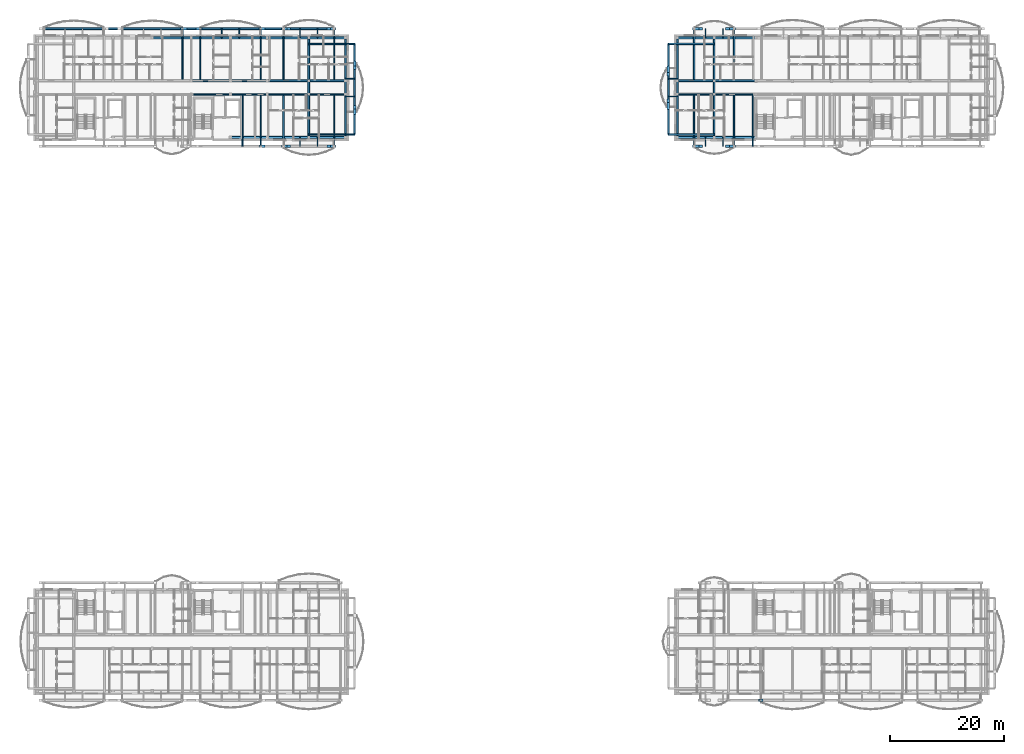
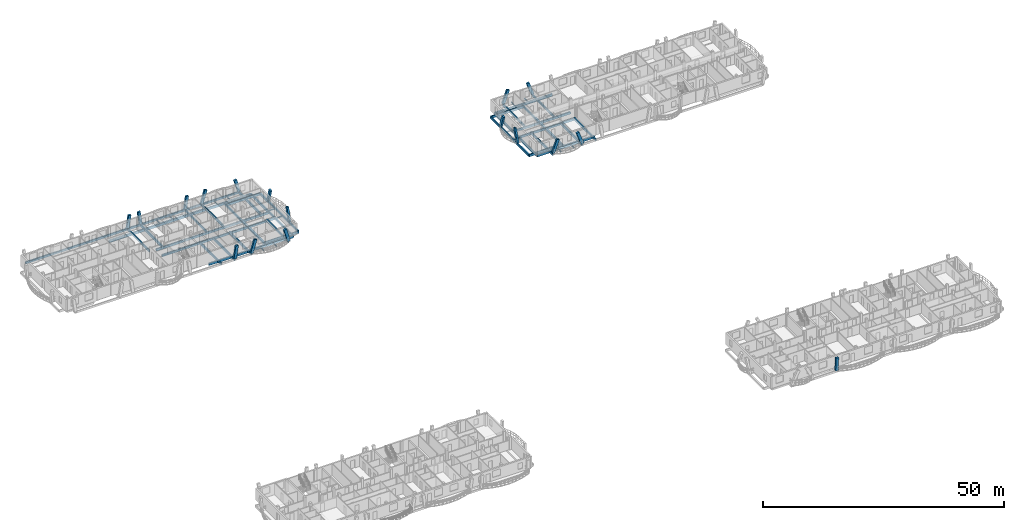
# One storey, part 6 of 52: 71 beams, 17 members.
"""IFC4 building model written with IfcOpenShell, lengths in metres."""

from ifc_helpers import new_model, si_unit, direction, frame, origin, origin_2d, place, context, subcontext, project, spatial, rectangle, i_section, extrude, material, material_profile, profile_set, type_object, element, save


model = new_model("IFC4")

# Units and contexts
model_context = context("Model", 3, precision=1e-05, world=origin(), true_north=direction((0.0, 1.0)))
body_context = subcontext(model_context, "Body", "Model", "MODEL_VIEW")
ifc_project = project(units=[si_unit("LENGTHUNIT", "METRE"), si_unit("AREAUNIT", "SQUARE_METRE"), si_unit("VOLUMEUNIT", "CUBIC_METRE"), si_unit("PLANEANGLEUNIT", "RADIAN"), si_unit("MASSUNIT", "GRAM", prefix="KILO")], contexts=[model_context])

# Site, building, storey
site_placement = place(None, origin())
site = spatial("IfcSite", under=ifc_project, at=site_placement, CompositionType="ELEMENT")
building_placement = place(site_placement, origin())
building = spatial("IfcBuilding", under=site, at=building_placement, Name="Zavelmont Quarter", CompositionType="ELEMENT")
storey_placement = place(building_placement, frame((0.0, 0.0, 14.39990234375)))
storey = spatial("IfcBuildingStorey", under=building, at=storey_placement, Name="L04", CompositionType="ELEMENT", Elevation=14.39990234375)

# Beams
ifc_material_1 = material(Name="Concrete C35/45", Category="concrete")
ifc_material_profile_1 = material_profile(ifc_material_1, rectangle(XDim=0.35009765625, YDim=0.60009765625, at=origin_2d()), Name="RC350X600")
ifc_profile_set_1 = profile_set([ifc_material_profile_1], Name="Concrete C35/45")
beam_type_1 = type_object("IfcBeamType", Name="BM01", PredefinedType="SPANDREL", material=ifc_profile_set_1)
beam_1_placement = place(storey_placement, frame((34.5, 98.0400390625, -0.559814453125), z_axis=(1.0, 0.0, 0.0), x_axis=(0.0, 1.0, 0.0)))
element("IfcBeam", 1, at=beam_1_placement, inside=storey, type_object=beam_type_1, Name="L04 beam BM01 6/P to 7/P", PredefinedType="SPANDREL", context=body_context, shape_type="SweptSolid", body=[
    extrude(rectangle(XDim=0.35009765625, YDim=0.60009765625, at=origin_2d()), origin(), (0.0, 0.0, 1.0), 6.4599609375),
])
beam_2_placement = place(storey_placement, frame((40.9599609375, 98.0400390625, -0.559814453125), z_axis=(1.0, 0.0, 0.0), x_axis=(0.0, 1.0, 0.0)))
element("IfcBeam", 2, at=beam_2_placement, inside=storey, type_object=beam_type_1, Name="L04 beam BM01 7/P to 8/P", PredefinedType="SPANDREL", context=body_context, shape_type="SweptSolid", body=[
    extrude(rectangle(XDim=0.35009765625, YDim=0.60009765625, at=origin_2d()), origin(), (0.0, 0.0, 1.0), 7.340087890625),
])
beam_3_placement = place(storey_placement, frame((48.300048828125, 98.0400390625, -0.559814453125), z_axis=(1.0, 0.0, 0.0), x_axis=(0.0, 1.0, 0.0)))
element("IfcBeam", 3, at=beam_3_placement, inside=storey, type_object=beam_type_1, Name="L04 beam BM01 8/P to 9/P", PredefinedType="SPANDREL", context=body_context, shape_type="SweptSolid", body=[
    extrude(rectangle(XDim=0.35009765625, YDim=0.60009765625, at=origin_2d()), origin(), (0.0, 0.0, 1.0), 6.4599609375),
])
beam_4_placement = place(storey_placement, frame((20.699951171875, 115.56005859375, -0.559814453125), z_axis=(1.0, 0.0, 0.0), x_axis=(0.0, 1.0, 0.0)))
element("IfcBeam", 4, at=beam_4_placement, inside=storey, type_object=beam_type_1, Name="L04 beam BM01 4/S to 5/S", PredefinedType="SPANDREL", context=body_context, shape_type="SweptSolid", body=[
    extrude(rectangle(XDim=0.35009765625, YDim=0.60009765625, at=origin_2d()), origin(), (0.0, 0.0, 1.0), 6.900146484375),
])
beam_5_placement = place(storey_placement, frame((27.60009765625, 115.56005859375, -0.559814453125), z_axis=(1.0, 0.0, 0.0), x_axis=(0.0, 1.0, 0.0)))
element("IfcBeam", 5, at=beam_5_placement, inside=storey, type_object=beam_type_1, Name="L04 beam BM01 5/S to 6/S", PredefinedType="SPANDREL", context=body_context, shape_type="SweptSolid", body=[
    extrude(rectangle(XDim=0.35009765625, YDim=0.60009765625, at=origin_2d()), origin(), (0.0, 0.0, 1.0), 6.89990234375),
])
beam_6_placement = place(storey_placement, frame((34.5, 115.56005859375, -0.559814453125), z_axis=(1.0, 0.0, 0.0), x_axis=(0.0, 1.0, 0.0)))
element("IfcBeam", 6, at=beam_6_placement, inside=storey, type_object=beam_type_1, Name="L04 beam BM01 6/S to 7/S", PredefinedType="SPANDREL", context=body_context, shape_type="SweptSolid", body=[
    extrude(rectangle(XDim=0.35009765625, YDim=0.60009765625, at=origin_2d()), origin(), (0.0, 0.0, 1.0), 6.4599609375),
])
beam_7_placement = place(storey_placement, frame((40.9599609375, 115.56005859375, -0.559814453125), z_axis=(1.0, 0.0, 0.0), x_axis=(0.0, 1.0, 0.0)))
element("IfcBeam", 7, at=beam_7_placement, inside=storey, type_object=beam_type_1, Name="L04 beam BM01 7/S to 8/S", PredefinedType="SPANDREL", context=body_context, shape_type="SweptSolid", body=[
    extrude(rectangle(XDim=0.35009765625, YDim=0.60009765625, at=origin_2d()), origin(), (0.0, 0.0, 1.0), 7.340087890625),
])
for number, where, z_axis, x_axis, name in (
    (8, (48.300048828125, 115.56005859375, -0.559814453125), (1.0, 0.0, 0.0), (0.0, 1.0, 0.0), "L04 beam BM01 8/S to 9/S"),
    (9, (113.239990234375, 98.0400390625, -0.559814453125), (1.0, 0.0, 0.0), (0.0, 1.0, 0.0), "L04 beam BM01 17/P to 18/P"),
):
    element("IfcBeam", number, at=place(storey_placement, frame(where, z_axis=z_axis, x_axis=x_axis)), inside=storey, type_object=beam_type_1, Name=name, PredefinedType="SPANDREL", context=body_context, shape_type="SweptSolid", body=[
        extrude(rectangle(XDim=0.35009765625, YDim=0.60009765625, at=origin_2d()), origin(), (0.0, 0.0, 1.0), 6.4599609375),
    ])
beam_8_placement = place(storey_placement, frame((119.699951171875, 98.0400390625, -0.559814453125), z_axis=(1.0, 0.0, 0.0), x_axis=(0.0, 1.0, 0.0)))
element("IfcBeam", 10, at=beam_8_placement, inside=storey, type_object=beam_type_1, Name="L04 beam BM01 18/P to 19/P", PredefinedType="SPANDREL", context=body_context, shape_type="SweptSolid", body=[
    extrude(rectangle(XDim=0.35009765625, YDim=0.60009765625, at=origin_2d()), origin(), (0.0, 0.0, 1.0), 7.340087890625),
])
beam_9_placement = place(storey_placement, frame((113.239990234375, 115.56005859375, -0.559814453125), z_axis=(1.0, 0.0, 0.0), x_axis=(0.0, 1.0, 0.0)))
element("IfcBeam", 11, at=beam_9_placement, inside=storey, type_object=beam_type_1, Name="L04 beam BM01 17/S to 18/S", PredefinedType="SPANDREL", context=body_context, shape_type="SweptSolid", body=[
    extrude(rectangle(XDim=0.35009765625, YDim=0.60009765625, at=origin_2d()), origin(), (0.0, 0.0, 1.0), 6.4599609375),
])
beam_10_placement = place(storey_placement, frame((119.699951171875, 115.56005859375, -0.559814453125), z_axis=(1.0, 0.0, 0.0), x_axis=(0.0, 1.0, 0.0)))
element("IfcBeam", 12, at=beam_10_placement, inside=storey, type_object=beam_type_1, Name="L04 beam BM01 18/S to 19/S", PredefinedType="SPANDREL", context=body_context, shape_type="SweptSolid", body=[
    extrude(rectangle(XDim=0.35009765625, YDim=0.60009765625, at=origin_2d()), origin(), (0.0, 0.0, 1.0), 7.340087890625),
])
ifc_material_profile_2 = material_profile(ifc_material_1, rectangle(XDim=0.300048828125, YDim=0.550048828125, at=origin_2d()), Name="RC300X550")
ifc_profile_set_2 = profile_set([ifc_material_profile_2], Name="Concrete C35/45")
beam_type_2 = type_object("IfcBeamType", Name="BM02", PredefinedType="SPANDREL", material=ifc_profile_set_2)
beam_11_placement = place(storey_placement, frame((27.60009765625, 105.60009765625, -0.534912109375), z_axis=(1.0, 0.0, 0.0), x_axis=(0.0, 1.0, 0.0)))
element("IfcBeam", 13, at=beam_11_placement, inside=storey, type_object=beam_type_2, Name="L04 beam BM02 5/Q to 6/Q", PredefinedType="SPANDREL", context=body_context, shape_type="SweptSolid", body=[
    extrude(rectangle(XDim=0.300048828125, YDim=0.550048828125, at=origin_2d()), origin(), (0.0, 0.0, 1.0), 6.89990234375),
])
beam_12_placement = place(storey_placement, frame((34.5, 105.60009765625, -0.534912109375), z_axis=(1.0, 0.0, 0.0), x_axis=(0.0, 1.0, 0.0)))
element("IfcBeam", 14, at=beam_12_placement, inside=storey, type_object=beam_type_2, Name="L04 beam BM02 6/Q to 7/Q", PredefinedType="SPANDREL", context=body_context, shape_type="SweptSolid", body=[
    extrude(rectangle(XDim=0.300048828125, YDim=0.550048828125, at=origin_2d()), origin(), (0.0, 0.0, 1.0), 6.4599609375),
])
beam_13_placement = place(storey_placement, frame((40.9599609375, 105.60009765625, -0.534912109375), z_axis=(1.0, 0.0, 0.0), x_axis=(0.0, 1.0, 0.0)))
element("IfcBeam", 15, at=beam_13_placement, inside=storey, type_object=beam_type_2, Name="L04 beam BM02 7/Q to 8/Q", PredefinedType="SPANDREL", context=body_context, shape_type="SweptSolid", body=[
    extrude(rectangle(XDim=0.300048828125, YDim=0.550048828125, at=origin_2d()), origin(), (0.0, 0.0, 1.0), 7.340087890625),
])
beam_14_placement = place(storey_placement, frame((48.300048828125, 105.60009765625, -0.534912109375), z_axis=(1.0, 0.0, 0.0), x_axis=(0.0, 1.0, 0.0)))
element("IfcBeam", 16, at=beam_14_placement, inside=storey, type_object=beam_type_2, Name="L04 beam BM02 8/Q to 9/Q", PredefinedType="SPANDREL", context=body_context, shape_type="SweptSolid", body=[
    extrude(rectangle(XDim=0.300048828125, YDim=0.550048828125, at=origin_2d()), origin(), (0.0, 0.0, 1.0), 6.4599609375),
])
beam_15_placement = place(storey_placement, frame((27.60009765625, 108.0, -0.534912109375), z_axis=(1.0, 0.0, 0.0), x_axis=(0.0, 1.0, 0.0)))
element("IfcBeam", 17, at=beam_15_placement, inside=storey, type_object=beam_type_2, Name="L04 beam BM02 5/R to 6/R", PredefinedType="SPANDREL", context=body_context, shape_type="SweptSolid", body=[
    extrude(rectangle(XDim=0.300048828125, YDim=0.550048828125, at=origin_2d()), origin(), (0.0, 0.0, 1.0), 6.89990234375),
])
beam_16_placement = place(storey_placement, frame((34.5, 108.0, -0.534912109375), z_axis=(1.0, 0.0, 0.0), x_axis=(0.0, 1.0, 0.0)))
element("IfcBeam", 18, at=beam_16_placement, inside=storey, type_object=beam_type_2, Name="L04 beam BM02 6/R to 7/R", PredefinedType="SPANDREL", context=body_context, shape_type="SweptSolid", body=[
    extrude(rectangle(XDim=0.300048828125, YDim=0.550048828125, at=origin_2d()), origin(), (0.0, 0.0, 1.0), 6.4599609375),
])
beam_17_placement = place(storey_placement, frame((40.9599609375, 108.0, -0.534912109375), z_axis=(1.0, 0.0, 0.0), x_axis=(0.0, 1.0, 0.0)))
element("IfcBeam", 19, at=beam_17_placement, inside=storey, type_object=beam_type_2, Name="L04 beam BM02 7/R to 8/R", PredefinedType="SPANDREL", context=body_context, shape_type="SweptSolid", body=[
    extrude(rectangle(XDim=0.300048828125, YDim=0.550048828125, at=origin_2d()), origin(), (0.0, 0.0, 1.0), 7.340087890625),
])
beam_18_placement = place(storey_placement, frame((48.300048828125, 108.0, -0.534912109375), z_axis=(1.0, 0.0, 0.0), x_axis=(0.0, 1.0, 0.0)))
element("IfcBeam", 20, at=beam_18_placement, inside=storey, type_object=beam_type_2, Name="L04 beam BM02 8/R to 9/R", PredefinedType="SPANDREL", context=body_context, shape_type="SweptSolid", body=[
    extrude(rectangle(XDim=0.300048828125, YDim=0.550048828125, at=origin_2d()), origin(), (0.0, 0.0, 1.0), 6.4599609375),
])
beam_19_placement = place(storey_placement, frame((48.300048828125, 98.0400390625, -0.534912109375), z_axis=(0.0, 1.0, 0.0), x_axis=(-1.0, 0.0, 0.0)))
element("IfcBeam", 21, at=beam_19_placement, inside=storey, type_object=beam_type_2, Name="L04 beam BM02 8/P to 8/Q", PredefinedType="SPANDREL", context=body_context, shape_type="SweptSolid", body=[
    extrude(rectangle(XDim=0.300048828125, YDim=0.550048828125, at=origin_2d()), origin(), (0.0, 0.0, 1.0), 7.56005859375),
])
beam_20_placement = place(storey_placement, frame((48.300048828125, 105.60009765625, -0.534912109375), z_axis=(0.0, 1.0, 0.0), x_axis=(-1.0, 0.0, 0.0)))
element("IfcBeam", 22, at=beam_20_placement, inside=storey, type_object=beam_type_2, Name="L04 beam BM02 8/Q to 8/R", PredefinedType="SPANDREL", context=body_context, shape_type="SweptSolid", body=[
    extrude(rectangle(XDim=0.300048828125, YDim=0.550048828125, at=origin_2d()), origin(), (0.0, 0.0, 1.0), 2.39990234375),
])
for number, where, z_axis, x_axis, name in (
    (23, (48.300048828125, 108.0, -0.534912109375), (0.0, 1.0, 0.0), (-1.0, 0.0, 0.0), "L04 beam BM02 8/R to 8/S"),
    (24, (54.760009765625, 98.0400390625, -0.534912109375), (0.0, 1.0, 0.0), (-1.0, 0.0, 0.0), "L04 beam BM02 9/P to 9/Q"),
):
    element("IfcBeam", number, at=place(storey_placement, frame(where, z_axis=z_axis, x_axis=x_axis)), inside=storey, type_object=beam_type_2, Name=name, PredefinedType="SPANDREL", context=body_context, shape_type="SweptSolid", body=[
        extrude(rectangle(XDim=0.300048828125, YDim=0.550048828125, at=origin_2d()), origin(), (0.0, 0.0, 1.0), 7.56005859375),
    ])
beam_21_placement = place(storey_placement, frame((54.760009765625, 105.60009765625, -0.534912109375), z_axis=(0.0, 1.0, 0.0), x_axis=(-1.0, 0.0, 0.0)))
element("IfcBeam", 25, at=beam_21_placement, inside=storey, type_object=beam_type_2, Name="L04 beam BM02 9/Q to 9/R", PredefinedType="SPANDREL", context=body_context, shape_type="SweptSolid", body=[
    extrude(rectangle(XDim=0.300048828125, YDim=0.550048828125, at=origin_2d()), origin(), (0.0, 0.0, 1.0), 2.39990234375),
])
beam_22_placement = place(storey_placement, frame((54.760009765625, 108.0, -0.534912109375), z_axis=(0.0, 1.0, 0.0), x_axis=(-1.0, 0.0, 0.0)))
element("IfcBeam", 26, at=beam_22_placement, inside=storey, type_object=beam_type_2, Name="L04 beam BM02 9/R to 9/S", PredefinedType="SPANDREL", context=body_context, shape_type="SweptSolid", body=[
    extrude(rectangle(XDim=0.300048828125, YDim=0.550048828125, at=origin_2d()), origin(), (0.0, 0.0, 1.0), 7.56005859375),
])
beam_23_placement = place(storey_placement, frame((113.239990234375, 105.60009765625, -0.534912109375), z_axis=(1.0, 0.0, 0.0), x_axis=(0.0, 1.0, 0.0)))
element("IfcBeam", 27, at=beam_23_placement, inside=storey, type_object=beam_type_2, Name="L04 beam BM02 17/Q to 18/Q", PredefinedType="SPANDREL", context=body_context, shape_type="SweptSolid", body=[
    extrude(rectangle(XDim=0.300048828125, YDim=0.550048828125, at=origin_2d()), origin(), (0.0, 0.0, 1.0), 6.4599609375),
])
beam_24_placement = place(storey_placement, frame((119.699951171875, 105.60009765625, -0.534912109375), z_axis=(1.0, 0.0, 0.0), x_axis=(0.0, 1.0, 0.0)))
element("IfcBeam", 28, at=beam_24_placement, inside=storey, type_object=beam_type_2, Name="L04 beam BM02 18/Q to 19/Q", PredefinedType="SPANDREL", context=body_context, shape_type="SweptSolid", body=[
    extrude(rectangle(XDim=0.300048828125, YDim=0.550048828125, at=origin_2d()), origin(), (0.0, 0.0, 1.0), 7.340087890625),
])
beam_25_placement = place(storey_placement, frame((113.239990234375, 108.0, -0.534912109375), z_axis=(1.0, 0.0, 0.0), x_axis=(0.0, 1.0, 0.0)))
element("IfcBeam", 29, at=beam_25_placement, inside=storey, type_object=beam_type_2, Name="L04 beam BM02 17/R to 18/R", PredefinedType="SPANDREL", context=body_context, shape_type="SweptSolid", body=[
    extrude(rectangle(XDim=0.300048828125, YDim=0.550048828125, at=origin_2d()), origin(), (0.0, 0.0, 1.0), 6.4599609375),
])
beam_26_placement = place(storey_placement, frame((119.699951171875, 108.0, -0.534912109375), z_axis=(1.0, 0.0, 0.0), x_axis=(0.0, 1.0, 0.0)))
element("IfcBeam", 30, at=beam_26_placement, inside=storey, type_object=beam_type_2, Name="L04 beam BM02 18/R to 19/R", PredefinedType="SPANDREL", context=body_context, shape_type="SweptSolid", body=[
    extrude(rectangle(XDim=0.300048828125, YDim=0.550048828125, at=origin_2d()), origin(), (0.0, 0.0, 1.0), 7.340087890625),
])
beam_27_placement = place(storey_placement, frame((113.239990234375, 98.0400390625, -0.534912109375), z_axis=(0.0, 1.0, 0.0), x_axis=(-1.0, 0.0, 0.0)))
element("IfcBeam", 31, at=beam_27_placement, inside=storey, type_object=beam_type_2, Name="L04 beam BM02 17/P to 17/Q", PredefinedType="SPANDREL", context=body_context, shape_type="SweptSolid", body=[
    extrude(rectangle(XDim=0.300048828125, YDim=0.550048828125, at=origin_2d()), origin(), (0.0, 0.0, 1.0), 7.56005859375),
])
beam_28_placement = place(storey_placement, frame((113.239990234375, 105.60009765625, -0.534912109375), z_axis=(0.0, 1.0, 0.0), x_axis=(-1.0, 0.0, 0.0)))
element("IfcBeam", 32, at=beam_28_placement, inside=storey, type_object=beam_type_2, Name="L04 beam BM02 17/Q to 17/R", PredefinedType="SPANDREL", context=body_context, shape_type="SweptSolid", body=[
    extrude(rectangle(XDim=0.300048828125, YDim=0.550048828125, at=origin_2d()), origin(), (0.0, 0.0, 1.0), 2.39990234375),
])
for number, where, z_axis, x_axis, name in (
    (33, (113.239990234375, 108.0, -0.534912109375), (0.0, 1.0, 0.0), (-1.0, 0.0, 0.0), "L04 beam BM02 17/R to 17/S"),
    (34, (119.699951171875, 98.0400390625, -0.534912109375), (0.0, 1.0, 0.0), (-1.0, 0.0, 0.0), "L04 beam BM02 18/P to 18/Q"),
):
    element("IfcBeam", number, at=place(storey_placement, frame(where, z_axis=z_axis, x_axis=x_axis)), inside=storey, type_object=beam_type_2, Name=name, PredefinedType="SPANDREL", context=body_context, shape_type="SweptSolid", body=[
        extrude(rectangle(XDim=0.300048828125, YDim=0.550048828125, at=origin_2d()), origin(), (0.0, 0.0, 1.0), 7.56005859375),
    ])
beam_29_placement = place(storey_placement, frame((119.699951171875, 105.60009765625, -0.534912109375), z_axis=(0.0, 1.0, 0.0), x_axis=(-1.0, 0.0, 0.0)))
element("IfcBeam", 35, at=beam_29_placement, inside=storey, type_object=beam_type_2, Name="L04 beam BM02 18/Q to 18/R", PredefinedType="SPANDREL", context=body_context, shape_type="SweptSolid", body=[
    extrude(rectangle(XDim=0.300048828125, YDim=0.550048828125, at=origin_2d()), origin(), (0.0, 0.0, 1.0), 2.39990234375),
])
beam_30_placement = place(storey_placement, frame((119.699951171875, 108.0, -0.534912109375), z_axis=(0.0, 1.0, 0.0), x_axis=(-1.0, 0.0, 0.0)))
element("IfcBeam", 36, at=beam_30_placement, inside=storey, type_object=beam_type_2, Name="L04 beam BM02 18/R to 18/S", PredefinedType="SPANDREL", context=body_context, shape_type="SweptSolid", body=[
    extrude(rectangle(XDim=0.300048828125, YDim=0.550048828125, at=origin_2d()), origin(), (0.0, 0.0, 1.0), 7.56005859375),
])
ifc_material_profile_3 = material_profile(ifc_material_1, rectangle(XDim=0.300048828125, YDim=0.5, at=origin_2d()), Name="RC300X500")
ifc_profile_set_3 = profile_set([ifc_material_profile_3], Name="Concrete C35/45")
beam_type_3 = type_object("IfcBeamType", Name="BM03", PredefinedType="BEAM", material=ifc_profile_set_3)
beam_31_placement = place(storey_placement, frame((1.56494140625, 117.14990234375, -0.25), z_axis=(1.0, 0.0, 0.0), x_axis=(0.0, 1.0, 0.0)))
element("IfcBeam", 37, at=beam_31_placement, inside=storey, type_object=beam_type_3, Name="L04 beam BM03 1/S to 9/S", PredefinedType="BEAM", context=body_context, shape_type="SweptSolid", body=[
    extrude(rectangle(XDim=0.300048828125, YDim=0.5, at=origin_2d()), origin(), (0.0, 0.0, 1.0), 51.20703125),
])
for number, where, z_axis, x_axis, name in (
    (38, (56.35009765625, 98.550048828125, -0.25), (0.0, 1.0, 0.0), (-1.0, 0.0, 0.0), "L04 beam BM03 9/P to 9/S"),
    (39, (111.64990234375, 98.550048828125, -0.25), (0.0, 1.0, 0.0), (-1.0, 0.0, 0.0), "L04 beam BM03 17/P to 17/S"),
):
    element("IfcBeam", number, at=place(storey_placement, frame(where, z_axis=z_axis, x_axis=x_axis)), inside=storey, type_object=beam_type_3, Name=name, PredefinedType="BEAM", context=body_context, shape_type="SweptSolid", body=[
        extrude(rectangle(XDim=0.300048828125, YDim=0.5, at=origin_2d()), origin(), (0.0, 0.0, 1.0), 15.949951171875),
    ])
ifc_material_2 = material(Name="Steel S355", Category="steel")
ifc_material_profile_4 = material_profile(ifc_material_2, i_section(OverallWidth=0.110107421875, OverallDepth=0.219970703125, WebThickness=0.005859375, FlangeThickness=0.00927734375, at=origin_2d()), Name="IPE 220")
ifc_profile_set_4 = profile_set([ifc_material_profile_4], Name="Steel S355")
beam_type_4 = type_object("IfcBeamType", Name="BM15", PredefinedType="JOIST", material=ifc_profile_set_4)
for number, where, z_axis, x_axis, name in (
    (40, (32.949951171875, 115.56005859375, -0.371826171875), (0.0, 1.0, 0.0), (-1.0, 0.0, 0.0), "L04 beam BM15 6/S to 6/S"),
    (41, (36.050048828125, 115.56005859375, -0.371826171875), (0.0, 1.0, 0.0), (-1.0, 0.0, 0.0), "L04 beam BM15 6/S to 6/S"),
    (42, (46.75, 115.56005859375, -0.371826171875), (0.0, 1.0, 0.0), (-1.0, 0.0, 0.0), "L04 beam BM15 8/S to 8/S"),
    (43, (49.85009765625, 115.56005859375, -0.371826171875), (0.0, 1.0, 0.0), (-1.0, 0.0, 0.0), "L04 beam BM15 8/S to 8/S"),
):
    element("IfcBeam", number, at=place(storey_placement, frame(where, z_axis=z_axis, x_axis=x_axis)), inside=storey, type_object=beam_type_4, Name=name, PredefinedType="JOIST", context=body_context, shape_type="SweptSolid", body=[
        extrude(i_section(OverallWidth=0.110107421875, OverallDepth=0.219970703125, WebThickness=0.005859375, FlangeThickness=0.00927734375, at=origin_2d()), origin(), (0.0, 0.0, 1.0), 1.58984375),
    ])
for number, where, z_axis, x_axis, name in (
    (44, (54.760009765625, 105.25, -0.371826171875), (1.0, 0.0, 0.0), (0.0, 1.0, 0.0), "L04 beam BM15 9/Q to 9/Q"),
    (45, (54.760009765625, 108.35009765625, -0.371826171875), (1.0, 0.0, 0.0), (0.0, 1.0, 0.0), "L04 beam BM15 9/R to 9/R"),
    (46, (46.75, 98.0400390625, -0.371826171875), (0.0, -1.0, 0.0), (1.0, 0.0, 0.0), "L04 beam BM15 8/P to 8/P"),
    (47, (49.85009765625, 98.0400390625, -0.371826171875), (0.0, -1.0, 0.0), (1.0, 0.0, 0.0), "L04 beam BM15 8/P to 8/P"),
):
    element("IfcBeam", number, at=place(storey_placement, frame(where, z_axis=z_axis, x_axis=x_axis)), inside=storey, type_object=beam_type_4, Name=name, PredefinedType="JOIST", context=body_context, shape_type="SweptSolid", body=[
        extrude(i_section(OverallWidth=0.110107421875, OverallDepth=0.219970703125, WebThickness=0.005859375, FlangeThickness=0.00927734375, at=origin_2d()), origin(), (0.0, 0.0, 1.0), 1.590087890625),
    ])
for number, where, z_axis, x_axis, name in (
    (48, (118.14990234375, 115.56005859375, -0.371826171875), (0.0, 1.0, 0.0), (-1.0, 0.0, 0.0), "L04 beam BM15 18/S to 18/S"),
    (49, (121.25, 115.56005859375, -0.371826171875), (0.0, 1.0, 0.0), (-1.0, 0.0, 0.0), "L04 beam BM15 18/S to 18/S"),
):
    element("IfcBeam", number, at=place(storey_placement, frame(where, z_axis=z_axis, x_axis=x_axis)), inside=storey, type_object=beam_type_4, Name=name, PredefinedType="JOIST", context=body_context, shape_type="SweptSolid", body=[
        extrude(i_section(OverallWidth=0.110107421875, OverallDepth=0.219970703125, WebThickness=0.005859375, FlangeThickness=0.00927734375, at=origin_2d()), origin(), (0.0, 0.0, 1.0), 1.58984375),
    ])
for number, where, z_axis, x_axis, name in (
    (50, (113.239990234375, 105.25, -0.371826171875), (-1.0, 0.0, 0.0), (0.0, -1.0, 0.0), "L04 beam BM15 17/Q to 17/Q"),
    (51, (113.239990234375, 108.35009765625, -0.371826171875), (-1.0, 0.0, 0.0), (0.0, -1.0, 0.0), "L04 beam BM15 17/R to 17/R"),
    (52, (118.14990234375, 98.0400390625, -0.371826171875), (0.0, -1.0, 0.0), (1.0, 0.0, 0.0), "L04 beam BM15 18/P to 18/P"),
    (53, (121.25, 98.0400390625, -0.371826171875), (0.0, -1.0, 0.0), (1.0, 0.0, 0.0), "L04 beam BM15 18/P to 18/P"),
):
    element("IfcBeam", number, at=place(storey_placement, frame(where, z_axis=z_axis, x_axis=x_axis)), inside=storey, type_object=beam_type_4, Name=name, PredefinedType="JOIST", context=body_context, shape_type="SweptSolid", body=[
        extrude(i_section(OverallWidth=0.110107421875, OverallDepth=0.219970703125, WebThickness=0.005859375, FlangeThickness=0.00927734375, at=origin_2d()), origin(), (0.0, 0.0, 1.0), 1.590087890625),
    ])
ifc_material_3 = material(Name="Concrete C40/50", Category="concrete")
ifc_material_profile_5 = material_profile(ifc_material_3, rectangle(XDim=0.25, YDim=0.60009765625, at=origin_2d()), Name="RC250X600")
ifc_profile_set_5 = profile_set([ifc_material_profile_5], Name="Concrete C40/50")
beam_type_5 = type_object("IfcBeamType", Name="BM18", PredefinedType="BEAM", material=ifc_profile_set_5)
for number, where, z_axis, x_axis, name in (
    (54, (26.03466796875, 108.0, -0.2998046875), (0.0, 1.0, 0.0), (-1.0, 0.0, 0.0), "L04 beam BM18 5/R to 5/S"),
    (55, (29.165283203125, 108.0, -0.2998046875), (0.0, 1.0, 0.0), (-1.0, 0.0, 0.0), "L04 beam BM18 5/R to 5/S"),
    (56, (39.834716796875, 108.0, -0.2998046875), (0.0, 1.0, 0.0), (-1.0, 0.0, 0.0), "L04 beam BM18 7/R to 7/S"),
    (57, (43.827880859375, 108.0, -0.2998046875), (0.0, 1.0, 0.0), (-1.0, 0.0, 0.0), "L04 beam BM18 7/R to 7/S"),
    (58, (52.77197265625, 108.0, -0.2998046875), (0.0, 1.0, 0.0), (-1.0, 0.0, 0.0), "L04 beam BM18 9/R to 9/S"),
):
    element("IfcBeam", number, at=place(storey_placement, frame(where, z_axis=z_axis, x_axis=x_axis)), inside=storey, type_object=beam_type_5, Name=name, PredefinedType="BEAM", context=body_context, shape_type="SweptSolid", body=[
        extrude(rectangle(XDim=0.25, YDim=0.60009765625, at=origin_2d()), origin(), (0.0, 0.0, 1.0), 9.14990234375),
    ])
for number, where, z_axis, x_axis, name in (
    (59, (36.625, 105.60009765625, -0.2998046875), (0.0, -1.0, 0.0), (1.0, 0.0, 0.0), "L04 beam BM18 6/Q to 6/P"),
    (60, (39.834716796875, 105.60009765625, -0.2998046875), (0.0, -1.0, 0.0), (1.0, 0.0, 0.0), "L04 beam BM18 7/Q to 7/P"),
    (61, (43.827880859375, 105.60009765625, -0.2998046875), (0.0, -1.0, 0.0), (1.0, 0.0, 0.0), "L04 beam BM18 7/Q to 7/P"),
    (62, (52.77197265625, 105.60009765625, -0.2998046875), (0.0, -1.0, 0.0), (1.0, 0.0, 0.0), "L04 beam BM18 9/Q to 9/P"),
):
    element("IfcBeam", number, at=place(storey_placement, frame(where, z_axis=z_axis, x_axis=x_axis)), inside=storey, type_object=beam_type_5, Name=name, PredefinedType="BEAM", context=body_context, shape_type="SweptSolid", body=[
        extrude(rectangle(XDim=0.25, YDim=0.60009765625, at=origin_2d()), origin(), (0.0, 0.0, 1.0), 9.150146484375),
    ])
for number, where, z_axis, x_axis, name in (
    (63, (48.300048828125, 98.550048828125, -0.2998046875), (1.0, 0.0, 0.0), (0.0, 1.0, 0.0), "L04 beam BM18 8/P to 9/P"),
    (64, (48.300048828125, 114.5, -0.2998046875), (1.0, 0.0, 0.0), (0.0, 1.0, 0.0), "L04 beam BM18 8/S to 9/S"),
):
    element("IfcBeam", number, at=place(storey_placement, frame(where, z_axis=z_axis, x_axis=x_axis)), inside=storey, type_object=beam_type_5, Name=name, PredefinedType="BEAM", context=body_context, shape_type="SweptSolid", body=[
        extrude(rectangle(XDim=0.25, YDim=0.60009765625, at=origin_2d()), origin(), (0.0, 0.0, 1.0), 8.050048828125),
    ])
for number, where, z_axis, x_axis, name in (
    (65, (116.179443359375, 108.0, -0.2998046875), (0.0, 1.0, 0.0), (-1.0, 0.0, 0.0), "L04 beam BM18 17/R to 17/S"),
    (66, (123.220703125, 108.0, -0.2998046875), (0.0, 1.0, 0.0), (-1.0, 0.0, 0.0), "L04 beam BM18 19/R to 19/S"),
):
    element("IfcBeam", number, at=place(storey_placement, frame(where, z_axis=z_axis, x_axis=x_axis)), inside=storey, type_object=beam_type_5, Name=name, PredefinedType="BEAM", context=body_context, shape_type="SweptSolid", body=[
        extrude(rectangle(XDim=0.25, YDim=0.60009765625, at=origin_2d()), origin(), (0.0, 0.0, 1.0), 9.14990234375),
    ])
for number, where, z_axis, x_axis, name in (
    (67, (116.179443359375, 105.60009765625, -0.2998046875), (0.0, -1.0, 0.0), (1.0, 0.0, 0.0), "L04 beam BM18 17/Q to 17/P"),
    (68, (123.220703125, 105.60009765625, -0.2998046875), (0.0, -1.0, 0.0), (1.0, 0.0, 0.0), "L04 beam BM18 19/Q to 19/P"),
    (69, (126.5, 105.60009765625, -0.2998046875), (0.0, -1.0, 0.0), (1.0, 0.0, 0.0), "L04 beam BM18 19/Q to 19/P"),
):
    element("IfcBeam", number, at=place(storey_placement, frame(where, z_axis=z_axis, x_axis=x_axis)), inside=storey, type_object=beam_type_5, Name=name, PredefinedType="BEAM", context=body_context, shape_type="SweptSolid", body=[
        extrude(rectangle(XDim=0.25, YDim=0.60009765625, at=origin_2d()), origin(), (0.0, 0.0, 1.0), 9.150146484375),
    ])
for number, where, z_axis, x_axis, name in (
    (70, (119.699951171875, 98.550048828125, -0.2998046875), (-1.0, 0.0, 0.0), (0.0, -1.0, 0.0), "L04 beam BM18 18/P to 17/P"),
    (71, (119.699951171875, 114.5, -0.2998046875), (-1.0, 0.0, 0.0), (0.0, -1.0, 0.0), "L04 beam BM18 18/S to 17/S"),
):
    element("IfcBeam", number, at=place(storey_placement, frame(where, z_axis=z_axis, x_axis=x_axis)), inside=storey, type_object=beam_type_5, Name=name, PredefinedType="BEAM", context=body_context, shape_type="SweptSolid", body=[
        extrude(rectangle(XDim=0.25, YDim=0.60009765625, at=origin_2d()), origin(), (0.0, 0.0, 1.0), 8.050048828125),
    ])

# Members
ifc_material_4 = material(Name="White architectural precast concrete C40/50", Category="concrete")
ifc_material_profile_6 = material_profile(ifc_material_4, rectangle(XDim=0.43994140625, YDim=0.659912109375, at=origin_2d()), Name="PCR320X480")
ifc_profile_set_6 = profile_set([ifc_material_profile_6], Name="White architectural precast concrete C40/50")
member_type = type_object("IfcMemberType", Name="VR01M", PredefinedType="CHORD", material=ifc_profile_set_6)
for number, where, z_axis, x_axis, name in (
    (72, (26.03466796875, 117.14990234375, 0.0), (0.141008966379, 0.0, 0.990008318854), (0.0, 1.0, 0.0), "L04 member VR01M 5/S to 5/S"),
    (73, (29.165283203125, 117.14990234375, 0.0), (-0.141008966379, 0.0, 0.990008318854), (0.0, -1.0, 0.0), "L04 member VR01M 5/S to 5/S"),
    (74, (39.834716796875, 117.14990234375, 0.0), (0.141008966379, 0.0, 0.990008318854), (0.0, 1.0, 0.0), "L04 member VR01M 7/S to 7/S"),
):
    element("IfcMember", number, at=place(storey_placement, frame(where, z_axis=z_axis, x_axis=x_axis)), inside=storey, type_object=member_type, Name=name, PredefinedType="CHORD", context=body_context, shape_type="SweptSolid", body=[
        extrude(rectangle(XDim=0.43994140625, YDim=0.659912109375, at=origin_2d()), origin(), (0.0, 0.0, 1.0), 3.232421875),
    ])
for number, where, z_axis, x_axis, name in (
    (75, (43.827880859375, 117.14990234375, 0.0), (0.281405262069, 0.0, 0.959589015402), (0.0, 1.0, 0.0), "L04 member VR01M 7/S to 7/S"),
    (76, (52.77197265625, 117.14990234375, 0.0), (-0.281337850756, 0.0, 0.959608781604), (0.0, -1.0, 0.0), "L04 member VR01M 9/S to 9/S"),
):
    element("IfcMember", number, at=place(storey_placement, frame(where, z_axis=z_axis, x_axis=x_axis)), inside=storey, type_object=member_type, Name=name, PredefinedType="CHORD", context=body_context, shape_type="SweptSolid", body=[
        extrude(rectangle(XDim=0.43994140625, YDim=0.659912109375, at=origin_2d()), origin(), (0.0, 0.0, 1.0), 3.3349609375),
    ])
member_1_placement = place(storey_placement, frame((39.834716796875, 96.449951171875, 0.0), z_axis=(0.141008966379, 0.0, 0.990008318854), x_axis=(0.0, 1.0, 0.0)))
element("IfcMember", 77, at=member_1_placement, inside=storey, type_object=member_type, Name="L04 member VR01M 7/P to 7/P", PredefinedType="CHORD", context=body_context, shape_type="SweptSolid", body=[
    extrude(rectangle(XDim=0.43994140625, YDim=0.659912109375, at=origin_2d()), origin(), (0.0, 0.0, 1.0), 3.232421875),
])
for number, where, z_axis, x_axis, name in (
    (78, (43.827880859375, 96.449951171875, 0.0), (0.281405262069, 0.0, 0.959589015402), (0.0, 1.0, 0.0), "L04 member VR01M 7/P to 7/P"),
    (79, (52.77197265625, 96.449951171875, 0.0), (-0.281337850756, 0.0, 0.959608781604), (0.0, -1.0, 0.0), "L04 member VR01M 9/P to 9/P"),
):
    element("IfcMember", number, at=place(storey_placement, frame(where, z_axis=z_axis, x_axis=x_axis)), inside=storey, type_object=member_type, Name=name, PredefinedType="CHORD", context=body_context, shape_type="SweptSolid", body=[
        extrude(rectangle(XDim=0.43994140625, YDim=0.659912109375, at=origin_2d()), origin(), (0.0, 0.0, 1.0), 3.3349609375),
    ])
for number, where, z_axis, x_axis, name in (
    (80, (56.35009765625, 102.39599609375, 0.0), (0.0, 0.275457193963, 0.961313338248), (-1.0, 0.0, 0.0), "L04 member VR01M 9/Q to 9/Q"),
    (81, (56.35009765625, 111.2041015625, 0.0), (0.0, -0.275457193963, 0.961313338248), (1.0, 0.0, 0.0), "L04 member VR01M 9/R to 9/R"),
):
    element("IfcMember", number, at=place(storey_placement, frame(where, z_axis=z_axis, x_axis=x_axis)), inside=storey, type_object=member_type, Name=name, PredefinedType="CHORD", context=body_context, shape_type="SweptSolid", body=[
        extrude(rectangle(XDim=0.43994140625, YDim=0.659912109375, at=origin_2d()), origin(), (0.0, 0.0, 1.0), 3.3291015625),
    ])
member_2_placement = place(storey_placement, frame((116.179443359375, 117.14990234375, 0.0), z_axis=(0.341265130578, 0.0, 0.939967079557), x_axis=(0.0, 1.0, 0.0)))
element("IfcMember", 82, at=member_2_placement, inside=storey, type_object=member_type, Name="L04 member VR01M 17/S to 18/S", PredefinedType="CHORD", context=body_context, shape_type="SweptSolid", body=[
    extrude(rectangle(XDim=0.43994140625, YDim=0.659912109375, at=origin_2d()), origin(), (0.0, 0.0, 1.0), 3.404541015625),
])
member_3_placement = place(storey_placement, frame((123.220703125, 117.14990234375, 0.0), z_axis=(-0.341328486258, 0.0, 0.939944075182), x_axis=(0.0, -1.0, 0.0)))
element("IfcMember", 83, at=member_3_placement, inside=storey, type_object=member_type, Name="L04 member VR01M 19/S to 18/S", PredefinedType="CHORD", context=body_context, shape_type="SweptSolid", body=[
    extrude(rectangle(XDim=0.43994140625, YDim=0.659912109375, at=origin_2d()), origin(), (0.0, 0.0, 1.0), 3.40478515625),
])
member_4_placement = place(storey_placement, frame((116.179443359375, 96.449951171875, 0.0), z_axis=(0.341265130578, 0.0, 0.939967079557), x_axis=(0.0, 1.0, 0.0)))
element("IfcMember", 84, at=member_4_placement, inside=storey, type_object=member_type, Name="L04 member VR01M 17/P to 18/P", PredefinedType="CHORD", context=body_context, shape_type="SweptSolid", body=[
    extrude(rectangle(XDim=0.43994140625, YDim=0.659912109375, at=origin_2d()), origin(), (0.0, 0.0, 1.0), 3.404541015625),
])
for number, where, z_axis, x_axis, name in (
    (85, (123.220703125, 96.449951171875, 0.0), (-0.341328486258, 0.0, 0.939944075182), (0.0, -1.0, 0.0), "L04 member VR01M 19/P to 18/P"),
    (86, (111.64990234375, 103.279296875, 0.0), (0.0, 0.341328486258, 0.939944075182), (-1.0, 0.0, 0.0), "L04 member VR01M 17/Q to 17/Q"),
):
    element("IfcMember", number, at=place(storey_placement, frame(where, z_axis=z_axis, x_axis=x_axis)), inside=storey, type_object=member_type, Name=name, PredefinedType="CHORD", context=body_context, shape_type="SweptSolid", body=[
        extrude(rectangle(XDim=0.43994140625, YDim=0.659912109375, at=origin_2d()), origin(), (0.0, 0.0, 1.0), 3.40478515625),
    ])
member_5_placement = place(storey_placement, frame((111.64990234375, 110.320556640625, 0.0), z_axis=(0.0, -0.341265130578, 0.939967079557), x_axis=(1.0, 0.0, 0.0)))
element("IfcMember", 87, at=member_5_placement, inside=storey, type_object=member_type, Name="L04 member VR01M 17/R to 17/R", PredefinedType="CHORD", context=body_context, shape_type="SweptSolid", body=[
    extrude(rectangle(XDim=0.43994140625, YDim=0.659912109375, at=origin_2d()), origin(), (0.0, 0.0, 1.0), 3.404541015625),
])
member_6_placement = place(storey_placement, frame((127.89111328125, -1.14990234375, 0.0), z_axis=(0.031796547828, 0.0, 0.999494361938), x_axis=(0.0, 1.0, 0.0)))
element("IfcMember", 88, at=member_6_placement, inside=storey, type_object=member_type, Name="L04 member VR01M 19/A to 19/A", PredefinedType="CHORD", context=body_context, shape_type="SweptSolid", body=[
    extrude(rectangle(XDim=0.43994140625, YDim=0.659912109375, at=origin_2d()), origin(), (0.0, 0.0, 1.0), 3.201904296875),
])

save(model, "model.ifc")
